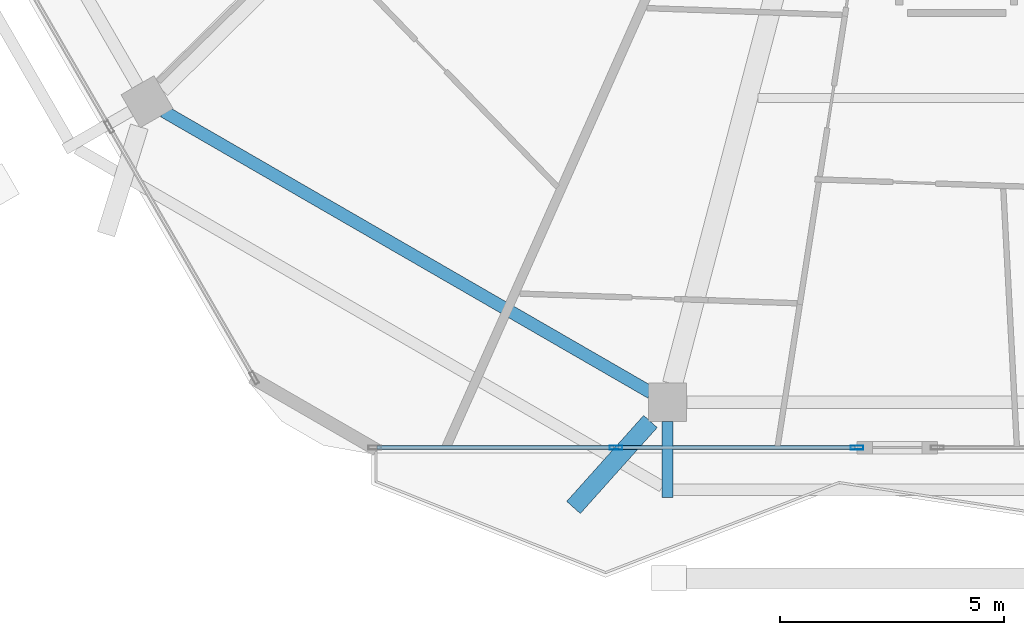
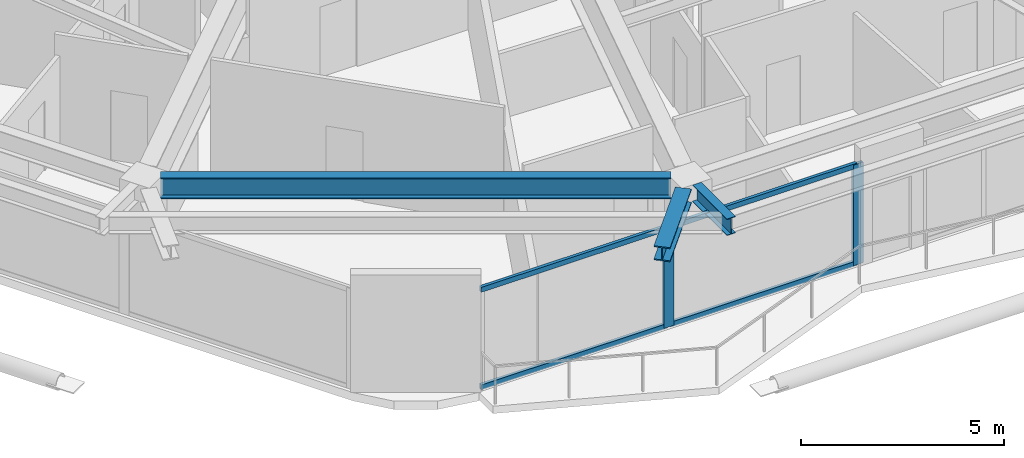
# One storey, part 4 of 26: 6 members, 3 beams, 1 element without a shape of its own.
"""IFC4 building model written with IfcOpenShell, lengths in metres."""

from ifc_helpers import new_model, si_unit, direction, frame, origin, origin_2d, place, context, subcontext, project, spatial, hollow_rectangle, i_section, extrude, material, material_profile, profile_set, type_object, element, aggregate, save


model = new_model("IFC4")

# Units and contexts
model_context = context("Model", 3, precision=1e-05, world=origin(), true_north=direction((0.0, 1.0)))
body_context = subcontext(model_context, "Body", "Model", "MODEL_VIEW")
ifc_project = project(units=[si_unit("LENGTHUNIT", "METRE"), si_unit("AREAUNIT", "SQUARE_METRE"), si_unit("VOLUMEUNIT", "CUBIC_METRE"), si_unit("PLANEANGLEUNIT", "RADIAN"), si_unit("MASSUNIT", "GRAM", prefix="KILO")], contexts=[model_context])

# Site, building, storey
site_placement = place(None, origin())
site = spatial("IfcSite", under=ifc_project, at=site_placement, CompositionType="ELEMENT")
building_placement = place(site_placement, origin())
building = spatial("IfcBuilding", under=site, at=building_placement, Name="Zuhravey Tower", CompositionType="ELEMENT")
storey_placement = place(building_placement, frame((0.0, 0.0, 299.60009765625)))
storey = spatial("IfcBuildingStorey", under=building, at=storey_placement, Name="L76", CompositionType="ELEMENT", Elevation=299.60009765625)

# Curtain wall, members
ifc_material_1 = material(Name="Thermally broken anodised aluminium", Category="aluminium")
curtain_wall_type = type_object("IfcCurtainWallType", Name="Zone 3-4 High-Rise Curtain Wall CW4", PredefinedType="NOTDEFINED", material=ifc_material_1)
curtain_wall_placement = place(storey_placement, origin())
curtain_wall = element("IfcCurtainWall", 1, at=curtain_wall_placement, inside=storey, type_object=curtain_wall_type, Name="L76 CW4 CW-L76-F5-2", PredefinedType="NOTDEFINED")
ifc_material_2 = material(Name="Anodised aluminium", Category="aluminium")
ifc_material_profile_1 = material_profile(ifc_material_2, hollow_rectangle(XDim=0.090087890625, YDim=0.284912109375, WallThickness=0.0048828125, at=origin_2d()), Name="ALU-RHS-90x285x5")
ifc_profile_set_1 = profile_set([ifc_material_profile_1], Name="Anodised aluminium")
member_type_1 = type_object("IfcMemberType", Name="Curtain-Wall Mullion 90x180", PredefinedType="MULLION", material=ifc_profile_set_1)
member_1_placement = place(storey_placement, frame((33.780517578125, 6.436279296875, 0.0), z_axis=(0.0, 0.0, 1.0), x_axis=(0.0, -1.0, 0.0)))
member_1 = element("IfcMember", 2, at=member_1_placement, type_object=member_type_1, Name="CW4 mullion 1", PredefinedType="MULLION", context=body_context, shape_type="SweptSolid", body=[
    extrude(hollow_rectangle(XDim=0.090087890625, YDim=0.284912109375, WallThickness=0.0048828125, at=origin_2d()), origin(), (0.0, 0.0, 1.0), 3.02001953125),
])
member_2_placement = place(storey_placement, frame((28.406494140625, 6.436279296875, 0.0), z_axis=(0.0, 0.0, 1.0), x_axis=(0.0, -1.0, 0.0)))
member_2 = element("IfcMember", 3, at=member_2_placement, type_object=member_type_1, Name="CW4 mullion 2", PredefinedType="MULLION", context=body_context, shape_type="SweptSolid", body=[
    extrude(hollow_rectangle(XDim=0.090087890625, YDim=0.284912109375, WallThickness=0.0048828125, at=origin_2d()), origin(), (0.0, 0.0, 1.0), 3.02001953125),
])
ifc_material_profile_2 = material_profile(ifc_material_2, hollow_rectangle(XDim=0.090087890625, YDim=0.14990234375, WallThickness=0.0048828125, at=origin_2d()), Name="ALU-RHS-90x150x5")
ifc_profile_set_2 = profile_set([ifc_material_profile_2], Name="Anodised aluminium")
member_type_2 = type_object("IfcMemberType", Name="Curtain-Wall Transom 90x150", PredefinedType="USERDEFINED", material=ifc_profile_set_2)
member_3_placement = place(storey_placement, frame((33.735595703125, 6.436279296875, 0.044921875), z_axis=(-1.0, 0.0, 0.0), x_axis=(0.0, -1.0, 0.0)))
member_3 = element("IfcMember", 4, at=member_3_placement, type_object=member_type_2, Name="CW4 transom 1.1", ObjectType="TRANSOM", PredefinedType="USERDEFINED", context=body_context, shape_type="SweptSolid", body=[
    extrude(hollow_rectangle(XDim=0.090087890625, YDim=0.14990234375, WallThickness=0.0048828125, at=origin_2d()), origin(), (0.0, 0.0, 1.0), 5.2841796875),
])
member_4_placement = place(storey_placement, frame((33.735595703125, 6.436279296875, 2.974853515625), z_axis=(-1.0, 0.0, 0.0), x_axis=(0.0, -1.0, 0.0)))
member_4 = element("IfcMember", 5, at=member_4_placement, type_object=member_type_2, Name="CW4 transom 1.2", ObjectType="TRANSOM", PredefinedType="USERDEFINED", context=body_context, shape_type="SweptSolid", body=[
    extrude(hollow_rectangle(XDim=0.090087890625, YDim=0.14990234375, WallThickness=0.0048828125, at=origin_2d()), origin(), (0.0, 0.0, 1.0), 5.2841796875),
])
member_5_placement = place(storey_placement, frame((28.361328125, 6.436279296875, 0.044921875), z_axis=(-1.0, 0.0, 0.0), x_axis=(0.0, -1.0, 0.0)))
member_5 = element("IfcMember", 6, at=member_5_placement, type_object=member_type_2, Name="CW4 transom 2.1", ObjectType="TRANSOM", PredefinedType="USERDEFINED", context=body_context, shape_type="SweptSolid", body=[
    extrude(hollow_rectangle(XDim=0.090087890625, YDim=0.14990234375, WallThickness=0.0048828125, at=origin_2d()), origin(), (0.0, 0.0, 1.0), 5.283935546875),
])
member_6_placement = place(storey_placement, frame((28.361328125, 6.436279296875, 2.974853515625), z_axis=(-1.0, 0.0, 0.0), x_axis=(0.0, -1.0, 0.0)))
member_6 = element("IfcMember", 7, at=member_6_placement, type_object=member_type_2, Name="CW4 transom 2.2", ObjectType="TRANSOM", PredefinedType="USERDEFINED", context=body_context, shape_type="SweptSolid", body=[
    extrude(hollow_rectangle(XDim=0.090087890625, YDim=0.14990234375, WallThickness=0.0048828125, at=origin_2d()), origin(), (0.0, 0.0, 1.0), 5.283935546875),
])
aggregate(curtain_wall, [member_1, member_2, member_3, member_4, member_5, member_6])

# Beams
ifc_material_3 = material(Name="Steel SM460", Category="steel")
ifc_material_profile_3 = material_profile(ifc_material_3, i_section(OverallWidth=0.406982421875, OverallDepth=0.427978515625, WebThickness=0.02001953125, FlangeThickness=0.034912109375, at=origin_2d()), Name="H-428x407x20x35")
ifc_profile_set_3 = profile_set([ifc_material_profile_3], Name="Steel SM460")
beam_type_1 = type_object("IfcBeamType", Name="Exoskeleton Node Tie Beam H428x407", PredefinedType="BEAM", material=ifc_profile_set_3)
beam_1_placement = place(storey_placement, frame((29.176025390625, 7.018310546875, 3.305908203125), z_axis=(-0.667016801308, -0.745042674465, 0.0), x_axis=(0.745042674465, -0.667016801308, 0.0)))
element("IfcBeam", 8, at=beam_1_placement, inside=storey, type_object=beam_type_1, Name="L76 Exoskeleton Node Tie NT1-09", PredefinedType="BEAM", context=body_context, shape_type="SweptSolid", body=[
    extrude(i_section(OverallWidth=0.406982421875, OverallDepth=0.427978515625, WebThickness=0.02001953125, FlangeThickness=0.034912109375, at=origin_2d()), origin(), (0.0, 0.0, 1.0), 2.572021484375),
])
ifc_material_4 = material(Name="Steel SM355", Category="steel")
ifc_material_profile_4 = material_profile(ifc_material_4, i_section(OverallWidth=0.280029296875, OverallDepth=0.6201171875, WebThickness=0.011962890625, FlangeThickness=0.02001953125, at=origin_2d()), Name="H-620x280x12x20")
ifc_profile_set_4 = profile_set([ifc_material_profile_4], Name="Steel SM355")
beam_type_2 = type_object("IfcBeamType", Name="Perimeter Ring Beam H620x280", PredefinedType="BEAM", material=ifc_profile_set_4)
beam_2_placement = place(storey_placement, frame((18.3271484375, 13.931396484375, 3.2099609375), z_axis=(0.866018312875, -0.500012281615, 0.0), x_axis=(0.500012281615, 0.866018312875, 0.0)))
element("IfcBeam", 9, at=beam_2_placement, inside=storey, type_object=beam_type_2, Name="L76 PB3 BM-L76-PB-08", PredefinedType="BEAM", context=body_context, shape_type="SweptSolid", body=[
    extrude(i_section(OverallWidth=0.280029296875, OverallDepth=0.6201171875, WebThickness=0.011962890625, FlangeThickness=0.02001953125, at=origin_2d()), origin(), (0.0, 0.0, 1.0), 12.541748046875),
])
ifc_material_profile_5 = material_profile(ifc_material_4, i_section(OverallWidth=0.25, OverallDepth=0.5, WebThickness=0.010009765625, FlangeThickness=0.01611328125, at=origin_2d()), Name="H-500x250x10x16")
ifc_profile_set_5 = profile_set([ifc_material_profile_5], Name="Steel SM355")
beam_type_3 = type_object("IfcBeamType", Name="Tray Cantilever Spandrel H500x250", PredefinedType="SPANDREL", material=ifc_profile_set_5)
beam_3_placement = place(storey_placement, frame((29.55908203125, 7.017333984375, 3.27001953125), z_axis=(0.0, -1.0, 0.0), x_axis=(1.0, 0.0, 0.0)))
element("IfcBeam", 10, at=beam_3_placement, inside=storey, type_object=beam_type_3, Name="L76 Sky-Tray Cantilever Arm TSB1-R09", PredefinedType="SPANDREL", context=body_context, shape_type="SweptSolid", body=[
    extrude(i_section(OverallWidth=0.25, OverallDepth=0.5, WebThickness=0.010009765625, FlangeThickness=0.01611328125, at=origin_2d()), origin(), (0.0, 0.0, 1.0), 1.69091796875),
])

save(model, "model.ifc")
